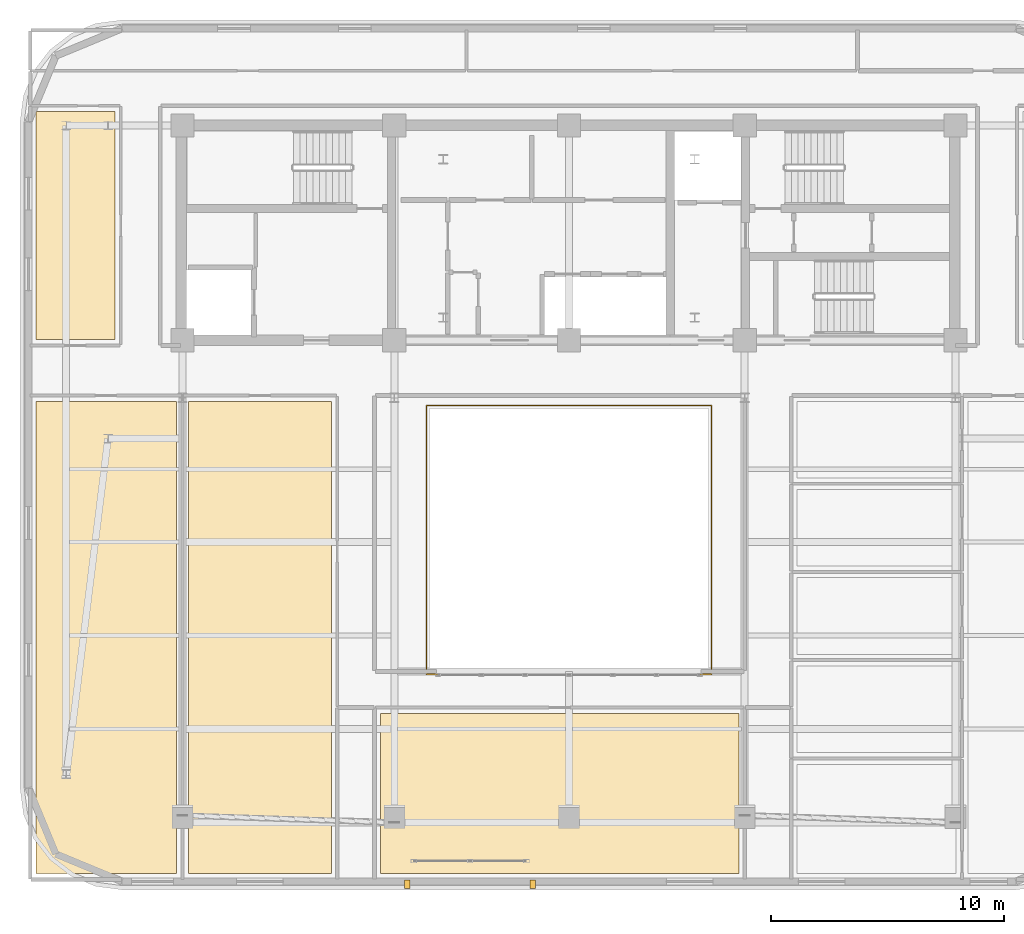
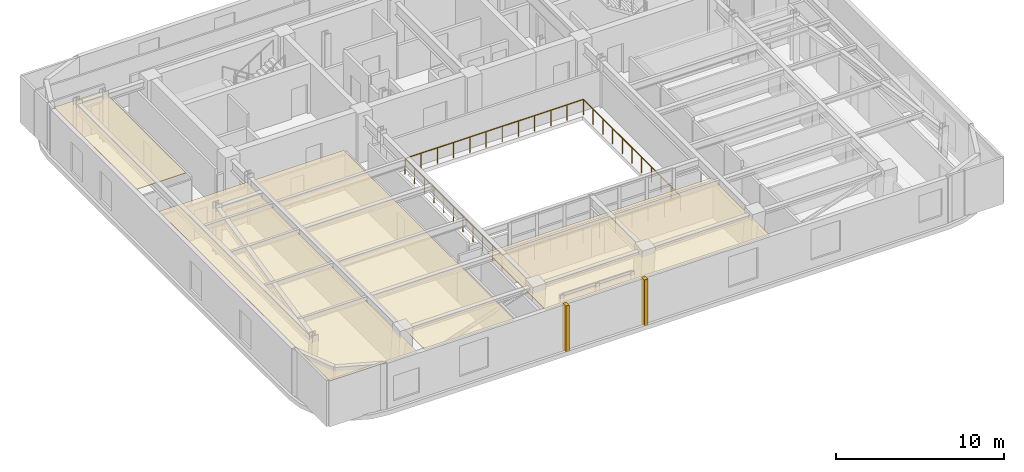
# One storey, part 10 of 13: 6 coverings, 1 railing.
"""IFC4 building model written with IfcOpenShell, lengths in metres."""

import ifcopenshell
import ifcopenshell.guid

model = None  # the IFC model being written
_history = None  # IfcOwnerHistory: only IFC2X3 demands one
_inside = {}  # id of a spatial element -> (the spatial element, [elements in it])
_under = {}  # id of a project, library or spatial element -> (it, [spatial elements below it])
_declared = {}  # id of a project -> (the project, [libraries it declares])
_typed = {}  # id of a type object -> (the type object, [elements of that type])
_made_of = {}  # id of a material, layer set ... -> (it, [elements and type objects made of it])


def new_model(schema):
    """Start an empty IFC model of exactly this schema.

    Asked for "IFC4X3", IfcOpenShell would pick the latest addendum, in which some entities
    have other attributes; the version numbers below select the first issue.
    IFC2X3 requires an IfcOwnerHistory on every rooted entity: one is made here for all.
    """
    global model, _history
    if schema == "IFC4X3":
        model = ifcopenshell.file(schema_version=(4, 3, 0, 0))
    else:
        model = ifcopenshell.file(schema=schema)
    _inside.clear()
    _under.clear()
    _declared.clear()
    _typed.clear()
    _made_of.clear()
    _history = None
    if model.schema == "IFC2X3":
        org = make("IfcOrganization", Name="unknown")
        user = make(
            "IfcPersonAndOrganization",
            ThePerson=make("IfcPerson", FamilyName="unknown"),
            TheOrganization=org,
        )
        app = make(
            "IfcApplication",
            ApplicationDeveloper=org,
            Version="unknown",
            ApplicationFullName="unknown",
            ApplicationIdentifier="unknown",
        )
        _history = make(
            "IfcOwnerHistory",
            OwningUser=user,
            OwningApplication=app,
            ChangeAction="ADDED",
            CreationDate=0,
        )
    return model


def make(cls, **values):
    """One entity of the class cls with the attributes given. An attribute that is None is left unset."""
    return model.create_entity(
        cls, **{name: value for name, value in values.items() if value is not None}
    )


def rooted(cls, **values):
    """An entity with a GlobalId (a new one), such as an element, a storey or a relation."""
    return make(cls, GlobalId=ifcopenshell.guid.new(), OwnerHistory=_history, **values)


def si_unit(unit_type, name, prefix=None):
    """IfcSIUnit, for example si_unit("LENGTHUNIT", "METRE", prefix="MILLI")."""
    return make("IfcSIUnit", UnitType=unit_type, Prefix=prefix, Name=name)


def assignment(units):
    """IfcUnitAssignment: the units of a project."""
    return None if units is None else make("IfcUnitAssignment", Units=units)


def point(xyz):
    """IfcCartesianPoint."""
    return None if xyz is None else make("IfcCartesianPoint", Coordinates=xyz)


def direction(xyz):
    """IfcDirection."""
    return None if xyz is None else make("IfcDirection", DirectionRatios=xyz)


def frame(location, z_axis=None, x_axis=None):
    """IfcAxis2Placement3D, a coordinate frame: its origin and axes. An axis left out is left unset."""
    return make(
        "IfcAxis2Placement3D",
        Location=point(location),
        Axis=direction(z_axis),
        RefDirection=direction(x_axis),
    )


def frame_2d(location, x_axis=None):
    """IfcAxis2Placement2D, a coordinate frame in the plane: its origin and x axis."""
    return make(
        "IfcAxis2Placement2D", Location=point(location), RefDirection=direction(x_axis)
    )


def origin():
    """The frame at (0, 0, 0) with its axes left unset."""
    return frame((0.0, 0.0, 0.0))


def origin_2d():
    """The frame at (0, 0) in the plane with its x axis left unset."""
    return frame_2d((0.0, 0.0))


def place(relative_to, where):
    """IfcLocalPlacement: puts the frame where relative to a parent placement (None: the world)."""
    return make(
        "IfcLocalPlacement", PlacementRelTo=relative_to, RelativePlacement=where
    )


def context(
    kind, dimensions, precision=None, world=None, true_north=None, identifier=None
):
    """IfcGeometricRepresentationContext, for example the 3D "Model" context."""
    return make(
        "IfcGeometricRepresentationContext",
        ContextIdentifier=identifier,
        ContextType=kind,
        CoordinateSpaceDimension=dimensions,
        Precision=precision,
        WorldCoordinateSystem=world,
        TrueNorth=true_north,
    )


def subcontext(parent, identifier, kind, view, scale=None):
    """IfcGeometricRepresentationSubContext, for example "Body" below "Model"."""
    return make(
        "IfcGeometricRepresentationSubContext",
        ContextIdentifier=identifier,
        ContextType=kind,
        ParentContext=parent,
        TargetScale=scale,
        TargetView=view,
    )


def project(units=None, contexts=None):
    """IfcProject with its units and contexts."""
    return rooted(
        "IfcProject",
        Name="project",
        RepresentationContexts=contexts,
        UnitsInContext=assignment(units),
    )


def spatial(cls, under=None, at=None, **own):
    """A site, building, storey or space (cls), placed at a placement, below another one or the project."""
    s = rooted(cls, ObjectPlacement=at, **own)
    if under is not None:
        _under.setdefault(under.id(), (under, []))[1].append(s)
    return s


def polyline(points):
    """IfcPolyline through the points."""
    return make("IfcPolyline", Points=[point(p) for p in points])


def profile(cls, at=None, kind="AREA", **sizes):
    """A parametric profile (cls). Its sizes go by their IFC names, for example OverallWidth=200.0."""
    return make(cls, ProfileType=kind, Position=at, **sizes)


def rectangle(**sizes):
    """IfcRectangleProfileDef."""
    return profile("IfcRectangleProfileDef", **sizes)


def outline(outer, holes=None, kind="AREA"):
    """IfcArbitraryClosedProfileDef: a profile drawn as a closed curve; with holes, ...WithVoids."""
    if holes is None:
        return make("IfcArbitraryClosedProfileDef", ProfileType=kind, OuterCurve=outer)
    return make(
        "IfcArbitraryProfileDefWithVoids",
        ProfileType=kind,
        OuterCurve=outer,
        InnerCurves=holes,
    )


def extrude(swept, where, along, depth):
    """IfcExtrudedAreaSolid: the profile swept, set in the frame where, extruded along a direction by depth."""
    return make(
        "IfcExtrudedAreaSolid",
        SweptArea=swept,
        Position=where,
        ExtrudedDirection=direction(along),
        Depth=depth,
    )


def shape(context_of_items, identifier, shape_type, items):
    """IfcShapeRepresentation: the items that make up one representation, for example the "Body"."""
    return make(
        "IfcShapeRepresentation",
        ContextOfItems=context_of_items,
        RepresentationIdentifier=identifier,
        RepresentationType=shape_type,
        Items=items,
    )


def material(Name=None, Category=None):
    """IfcMaterial."""
    return make("IfcMaterial", Name=Name, Category=Category)


def layer(
    of_material, thickness, ventilated=None, Name=None, Category=None, Priority=None
):
    """IfcMaterialLayer: one layer of a wall or slab, of a material (None: an air gap)."""
    return make(
        "IfcMaterialLayer",
        Material=of_material,
        LayerThickness=thickness,
        IsVentilated=ventilated,
        Name=Name,
        Category=Category,
        Priority=Priority,
    )


def layer_set(layers, Name=None):
    """IfcMaterialLayerSet."""
    return make("IfcMaterialLayerSet", MaterialLayers=layers, LayerSetName=Name)


def made_of(thing, what):
    """Note that an element or type object is made of a material, layer set ...; save() writes the relation."""
    if what is not None:
        _made_of.setdefault(what.id(), (what, []))[1].append(thing)
    return thing


def type_object(cls, material=None, **own):
    """A type object (cls), such as IfcWallType, which elements share."""
    return made_of(rooted(cls, **own), material)


def element(
    cls,
    number,
    at=None,
    inside=None,
    cuts=None,
    type_object=None,
    material=None,
    context=None,
    identifier="Body",
    shape_type=None,
    held_by="IfcProductDefinitionShape",
    body=None,
    shapes=None,
    **own,
):
    """One element of the class cls, such as IfcWall. Its Tag is "e" and its number.

    at: its placement. inside: the storey or other place that contains it. cuts: it is an
    opening in that element (IfcRelVoidsElement). A single representation is given by context,
    identifier, shape_type and body (its items); several are given by shapes. held_by: the class
    of the entity that holds the representations. save() writes the other relations.
    """
    e = rooted(cls, Tag="e%d" % number, ObjectPlacement=at, **own)
    if body is not None:
        shapes = [shape(context, identifier, shape_type, body)]
    if shapes is not None:
        e.Representation = make(held_by, Representations=shapes)
    if inside is not None:
        _inside.setdefault(inside.id(), (inside, []))[1].append(e)
    if cuts is not None:
        rooted(
            "IfcRelVoidsElement", RelatingBuildingElement=cuts, RelatedOpeningElement=e
        )
    if type_object is not None:
        _typed.setdefault(type_object.id(), (type_object, []))[1].append(e)
    return made_of(e, material)


def aggregate(whole, parts):
    """IfcRelAggregates: a whole, such as a stair, and the parts it consists of."""
    return rooted("IfcRelAggregates", RelatingObject=whole, RelatedObjects=parts)


def save(model, path):
    """Write the relations noted so far, then the file.

    IfcRelAggregates (storeys below a building ...), IfcRelContainedInSpatialStructure (elements
    in a storey), IfcRelDefinesByType, IfcRelAssociatesMaterial and IfcRelDeclares: one each for
    every whole, place, type object, material and project.
    """
    for whole, parts in _under.values():
        aggregate(whole, parts)
    for where, things in _inside.values():
        rooted(
            "IfcRelContainedInSpatialStructure",
            RelatedElements=things,
            RelatingStructure=where,
        )
    for kind, things in _typed.values():
        rooted("IfcRelDefinesByType", RelatedObjects=things, RelatingType=kind)
    for what, things in _made_of.values():
        rooted("IfcRelAssociatesMaterial", RelatedObjects=things, RelatingMaterial=what)
    for by, libraries in _declared.values():
        rooted("IfcRelDeclares", RelatingContext=by, RelatedDefinitions=libraries)
    model.write(path)


model = new_model("IFC4")

# Units and contexts
model_context = context("Model", 3, precision=1e-05, world=origin(), true_north=direction((0.0, 1.0)))
body_context = subcontext(model_context, "Body", "Model", "MODEL_VIEW")
ifc_project = project(units=[si_unit("LENGTHUNIT", "METRE"), si_unit("AREAUNIT", "SQUARE_METRE"), si_unit("VOLUMEUNIT", "CUBIC_METRE"), si_unit("PLANEANGLEUNIT", "RADIAN"), si_unit("MASSUNIT", "GRAM", prefix="KILO")], contexts=[model_context])

# Site, building, storey
site_placement = place(None, origin())
site = spatial("IfcSite", under=ifc_project, at=site_placement, CompositionType="ELEMENT")
building_placement = place(site_placement, origin())
building = spatial("IfcBuilding", under=site, at=building_placement, Name="Zarnavel Station Tower", CompositionType="ELEMENT")
storey_placement = place(building_placement, frame((0.0, 0.0, 207.60009765625)))
storey = spatial("IfcBuildingStorey", under=building, at=storey_placement, Name="L56", CompositionType="ELEMENT", Elevation=207.60009765625)

# Coverings
ifc_material_1 = material(Name="Perforated Gypsum and Mineral-Wool Acoustic Ceiling", Category="concrete")
ifc_layer = layer(ifc_material_1, 0.0400390625)
ifc_layer_set = layer_set([ifc_layer], Name="COV_CEIL_ACOUSTIC")
covering_type_1 = type_object("IfcCoveringType", Name="COV_CEIL_ACOUSTIC", PredefinedType="CEILING", material=ifc_layer_set)
covering_1_placement = place(storey_placement, frame((0.0, 0.0, 3.02001953125)))
element("IfcCovering", 1, at=covering_1_placement, inside=storey, type_object=covering_type_1, Name="L56 FNW Acoustic Ceiling", PredefinedType="CEILING", context=body_context, shape_type="SweptSolid", body=[
    extrude(outline(polyline([(5.909912109375, 27.85009765625), (9.300048828125, 27.85009765625), (9.300048828125, 37.64990234375), (5.909912109375, 37.64990234375), (5.909912109375, 27.85009765625)])), origin(), (0.0, 0.0, 1.0), 0.039794921875),
])
covering_2_placement = place(storey_placement, frame((0.0, 0.0, 3.02001953125)))
element("IfcCovering", 2, at=covering_2_placement, inside=storey, type_object=covering_type_1, Name="L56 L55CIN Acoustic Ceiling", PredefinedType="CEILING", context=body_context, shape_type="SweptSolid", body=[
    extrude(outline(polyline([(5.909912109375, 4.909912109375), (11.949951171875, 4.909912109375), (11.949951171875, 25.199951171875), (5.909912109375, 25.199951171875), (5.909912109375, 4.909912109375)])), origin(), (0.0, 0.0, 1.0), 0.039794921875),
])
covering_3_placement = place(storey_placement, frame((0.0, 0.0, 3.02001953125)))
element("IfcCovering", 3, at=covering_3_placement, inside=storey, type_object=covering_type_1, Name="L56 L55MUS Acoustic Ceiling", PredefinedType="CEILING", context=body_context, shape_type="SweptSolid", body=[
    extrude(outline(polyline([(12.449951171875, 4.909912109375), (18.60009765625, 4.909912109375), (18.60009765625, 25.199951171875), (12.449951171875, 25.199951171875), (12.449951171875, 4.909912109375)])), origin(), (0.0, 0.0, 1.0), 0.039794921875),
])
covering_4_placement = place(storey_placement, frame((0.0, 0.0, 3.02001953125)))
element("IfcCovering", 4, at=covering_4_placement, inside=storey, type_object=covering_type_1, Name="L56 L55TEA Acoustic Ceiling", PredefinedType="CEILING", context=body_context, shape_type="SweptSolid", body=[
    extrude(outline(polyline([(20.699951171875, 4.909912109375), (36.10009765625, 4.909912109375), (36.10009765625, 11.800048828125), (20.699951171875, 11.800048828125), (20.699951171875, 4.909912109375)])), origin(), (0.0, 0.0, 1.0), 0.039794921875),
])
ifc_material_2 = material(Name="Precast concrete C45/55 (Pale Travertine Slab Band)", Category="masonry")
covering_type_2 = type_object("IfcCoveringType", Name="COV_TRAVERTINE_BAND", PredefinedType="CLADDING", material=ifc_material_2)
for number, where, z_axis, x_axis, name in (
    (5, (21.85009765625, 4.449951171875, 0.0), (0.0, 0.0, 1.0), (1.0, 0.0, 0.0), "L56 Travertine Portal Loggia Vertical Jog West"),
    (6, (27.25, 4.449951171875, 0.0), (0.0, 0.0, 1.0), (1.0, 0.0, 0.0), "L56 Travertine Portal Loggia Vertical Jog East"),
):
    element("IfcCovering", number, at=place(storey_placement, frame(where, z_axis=z_axis, x_axis=x_axis)), inside=storey, type_object=covering_type_2, Name=name, PredefinedType="CLADDING", context=body_context, shape_type="SweptSolid", body=[
        extrude(rectangle(XDim=0.239990234375, YDim=0.360107421875, at=origin_2d()), origin(), (0.0, 0.0, 1.0), 3.340087890625),
    ])

# Railing
ifc_material_3 = material(Name="Painted Steel S355J2 Balustrade", Category="steel")
railing_type = type_object("IfcRailingType", Name="GR_INT_1150", PredefinedType="GUARDRAIL", material=ifc_material_3)
railing_placement = place(storey_placement, frame((22.679931640625, 13.47998046875, 0.0)))
element("IfcRailing", 7, at=railing_placement, inside=storey, type_object=railing_type, Name="L56 Atrium Void Guardrail", PredefinedType="GUARDRAIL", context=body_context, shape_type="SweptSolid", body=[
    extrude(rectangle(XDim=0.048095703125, YDim=0.048095703125, at=origin_2d()), frame((0.001953125, 0.0, 1.1259765625), z_axis=(1.0, 0.0, 0.0), x_axis=(0.0, 1.0, 0.0)), (0.0, 0.0, 1.0), 12.236083984375),
    extrude(rectangle(XDim=0.048095703125, YDim=0.048095703125, at=origin_2d()), frame((12.239990234375, 0.001953125, 1.1259765625), z_axis=(0.0, 1.0, 0.0), x_axis=(-1.0, 0.0, 0.0)), (0.0, 0.0, 1.0), 11.5361328125),
    extrude(rectangle(XDim=0.048095703125, YDim=0.048095703125, at=origin_2d()), frame((12.238037109375, 11.5400390625, 1.1259765625), z_axis=(-1.0, 0.0, 0.0), x_axis=(0.0, -1.0, 0.0)), (0.0, 0.0, 1.0), 12.236083984375),
    extrude(rectangle(XDim=0.048095703125, YDim=0.048095703125, at=origin_2d()), frame((0.0, 11.5380859375, 1.1259765625), z_axis=(0.0, -1.0, 0.0), x_axis=(1.0, 0.0, 0.0)), (0.0, 0.0, 1.0), 11.5361328125),
    extrude(rectangle(XDim=0.0419921875, YDim=0.0419921875, at=origin_2d()), origin(), (0.0, 0.0, 1.0), 1.101806640625),
    extrude(rectangle(XDim=0.0419921875, YDim=0.0419921875, at=origin_2d()), frame((1.11279296875, 0.0, 0.0)), (0.0, 0.0, 1.0), 1.101806640625),
    extrude(rectangle(XDim=0.0419921875, YDim=0.0419921875, at=origin_2d()), frame((2.225341796875, 0.0, 0.0)), (0.0, 0.0, 1.0), 1.101806640625),
    extrude(rectangle(XDim=0.0419921875, YDim=0.0419921875, at=origin_2d()), frame((3.338134765625, 0.0, 0.0)), (0.0, 0.0, 1.0), 1.101806640625),
    extrude(rectangle(XDim=0.0419921875, YDim=0.0419921875, at=origin_2d()), frame((4.450927734375, 0.0, 0.0)), (0.0, 0.0, 1.0), 1.101806640625),
    extrude(rectangle(XDim=0.0419921875, YDim=0.0419921875, at=origin_2d()), frame((5.563720703125, 0.0, 0.0)), (0.0, 0.0, 1.0), 1.101806640625),
    extrude(rectangle(XDim=0.0419921875, YDim=0.0419921875, at=origin_2d()), frame((6.67626953125, 0.0, 0.0)), (0.0, 0.0, 1.0), 1.101806640625),
    extrude(rectangle(XDim=0.0419921875, YDim=0.0419921875, at=origin_2d()), frame((7.7890625, 0.0, 0.0)), (0.0, 0.0, 1.0), 1.101806640625),
    extrude(rectangle(XDim=0.0419921875, YDim=0.0419921875, at=origin_2d()), frame((8.90185546875, 0.0, 0.0)), (0.0, 0.0, 1.0), 1.101806640625),
    extrude(rectangle(XDim=0.0419921875, YDim=0.0419921875, at=origin_2d()), frame((10.0146484375, 0.0, 0.0)), (0.0, 0.0, 1.0), 1.101806640625),
    extrude(rectangle(XDim=0.0419921875, YDim=0.0419921875, at=origin_2d()), frame((11.127197265625, 0.0, 0.0)), (0.0, 0.0, 1.0), 1.101806640625),
    extrude(rectangle(XDim=0.0419921875, YDim=0.0419921875, at=origin_2d()), frame((12.239990234375, 0.0, 0.0)), (0.0, 0.0, 1.0), 1.101806640625),
    extrude(rectangle(XDim=0.0419921875, YDim=0.0419921875, at=origin_2d()), frame((12.239990234375, 1.154052734375, 0.0)), (0.0, 0.0, 1.0), 1.101806640625),
    extrude(rectangle(XDim=0.0419921875, YDim=0.0419921875, at=origin_2d()), frame((12.239990234375, 2.30810546875, 0.0)), (0.0, 0.0, 1.0), 1.101806640625),
    extrude(rectangle(XDim=0.0419921875, YDim=0.0419921875, at=origin_2d()), frame((12.239990234375, 3.4619140625, 0.0)), (0.0, 0.0, 1.0), 1.101806640625),
    extrude(rectangle(XDim=0.0419921875, YDim=0.0419921875, at=origin_2d()), frame((12.239990234375, 4.615966796875, 0.0)), (0.0, 0.0, 1.0), 1.101806640625),
    extrude(rectangle(XDim=0.0419921875, YDim=0.0419921875, at=origin_2d()), frame((12.239990234375, 5.77001953125, 0.0)), (0.0, 0.0, 1.0), 1.101806640625),
    extrude(rectangle(XDim=0.0419921875, YDim=0.0419921875, at=origin_2d()), frame((12.239990234375, 6.924072265625, 0.0)), (0.0, 0.0, 1.0), 1.101806640625),
    extrude(rectangle(XDim=0.0419921875, YDim=0.0419921875, at=origin_2d()), frame((12.239990234375, 8.078125, 0.0)), (0.0, 0.0, 1.0), 1.101806640625),
    extrude(rectangle(XDim=0.0419921875, YDim=0.0419921875, at=origin_2d()), frame((12.239990234375, 9.23193359375, 0.0)), (0.0, 0.0, 1.0), 1.101806640625),
    extrude(rectangle(XDim=0.0419921875, YDim=0.0419921875, at=origin_2d()), frame((12.239990234375, 10.385986328125, 0.0)), (0.0, 0.0, 1.0), 1.101806640625),
    extrude(rectangle(XDim=0.0419921875, YDim=0.0419921875, at=origin_2d()), frame((12.239990234375, 11.5400390625, 0.0)), (0.0, 0.0, 1.0), 1.101806640625),
    extrude(rectangle(XDim=0.0419921875, YDim=0.0419921875, at=origin_2d()), frame((11.127197265625, 11.5400390625, 0.0)), (0.0, 0.0, 1.0), 1.101806640625),
    extrude(rectangle(XDim=0.0419921875, YDim=0.0419921875, at=origin_2d()), frame((10.0146484375, 11.5400390625, 0.0)), (0.0, 0.0, 1.0), 1.101806640625),
    extrude(rectangle(XDim=0.0419921875, YDim=0.0419921875, at=origin_2d()), frame((8.90185546875, 11.5400390625, 0.0)), (0.0, 0.0, 1.0), 1.101806640625),
    extrude(rectangle(XDim=0.0419921875, YDim=0.0419921875, at=origin_2d()), frame((7.7890625, 11.5400390625, 0.0)), (0.0, 0.0, 1.0), 1.101806640625),
    extrude(rectangle(XDim=0.0419921875, YDim=0.0419921875, at=origin_2d()), frame((6.67626953125, 11.5400390625, 0.0)), (0.0, 0.0, 1.0), 1.101806640625),
    extrude(rectangle(XDim=0.0419921875, YDim=0.0419921875, at=origin_2d()), frame((5.563720703125, 11.5400390625, 0.0)), (0.0, 0.0, 1.0), 1.101806640625),
    extrude(rectangle(XDim=0.0419921875, YDim=0.0419921875, at=origin_2d()), frame((4.450927734375, 11.5400390625, 0.0)), (0.0, 0.0, 1.0), 1.101806640625),
    extrude(rectangle(XDim=0.0419921875, YDim=0.0419921875, at=origin_2d()), frame((3.338134765625, 11.5400390625, 0.0)), (0.0, 0.0, 1.0), 1.101806640625),
    extrude(rectangle(XDim=0.0419921875, YDim=0.0419921875, at=origin_2d()), frame((2.225341796875, 11.5400390625, 0.0)), (0.0, 0.0, 1.0), 1.101806640625),
    extrude(rectangle(XDim=0.0419921875, YDim=0.0419921875, at=origin_2d()), frame((1.11279296875, 11.5400390625, 0.0)), (0.0, 0.0, 1.0), 1.101806640625),
    extrude(rectangle(XDim=0.0419921875, YDim=0.0419921875, at=origin_2d()), frame((0.0, 11.5400390625, 0.0)), (0.0, 0.0, 1.0), 1.101806640625),
    extrude(rectangle(XDim=0.0419921875, YDim=0.0419921875, at=origin_2d()), frame((0.0, 10.385986328125, 0.0)), (0.0, 0.0, 1.0), 1.101806640625),
    extrude(rectangle(XDim=0.0419921875, YDim=0.0419921875, at=origin_2d()), frame((0.0, 9.23193359375, 0.0)), (0.0, 0.0, 1.0), 1.101806640625),
    extrude(rectangle(XDim=0.0419921875, YDim=0.0419921875, at=origin_2d()), frame((0.0, 8.078125, 0.0)), (0.0, 0.0, 1.0), 1.101806640625),
    extrude(rectangle(XDim=0.0419921875, YDim=0.0419921875, at=origin_2d()), frame((0.0, 6.924072265625, 0.0)), (0.0, 0.0, 1.0), 1.101806640625),
    extrude(rectangle(XDim=0.0419921875, YDim=0.0419921875, at=origin_2d()), frame((0.0, 5.77001953125, 0.0)), (0.0, 0.0, 1.0), 1.101806640625),
    extrude(rectangle(XDim=0.0419921875, YDim=0.0419921875, at=origin_2d()), frame((0.0, 4.615966796875, 0.0)), (0.0, 0.0, 1.0), 1.101806640625),
    extrude(rectangle(XDim=0.0419921875, YDim=0.0419921875, at=origin_2d()), frame((0.0, 3.4619140625, 0.0)), (0.0, 0.0, 1.0), 1.101806640625),
    extrude(rectangle(XDim=0.0419921875, YDim=0.0419921875, at=origin_2d()), frame((0.0, 2.30810546875, 0.0)), (0.0, 0.0, 1.0), 1.101806640625),
    extrude(rectangle(XDim=0.0419921875, YDim=0.0419921875, at=origin_2d()), frame((0.0, 1.154052734375, 0.0)), (0.0, 0.0, 1.0), 1.101806640625),
])

save(model, "model.ifc")
